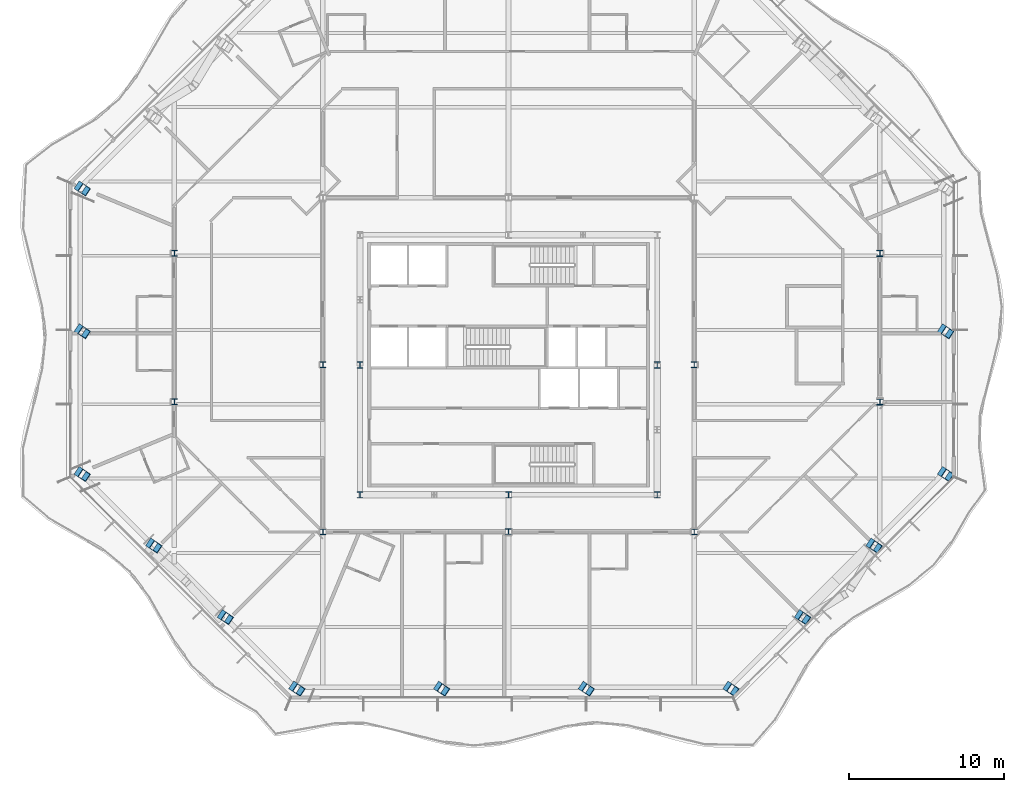
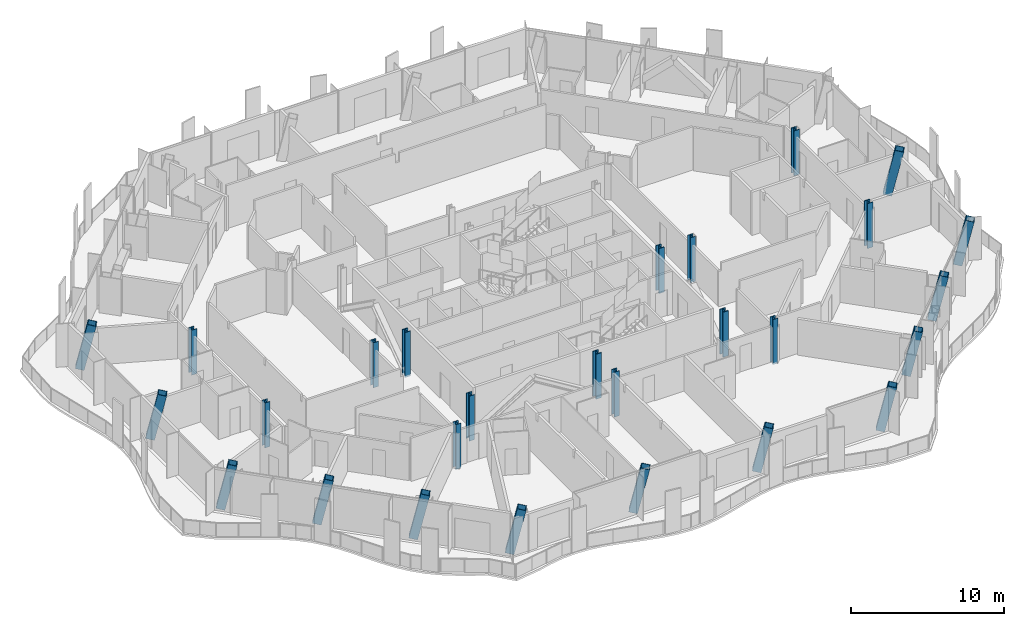
# One storey, part 1 of 22: 27 columns.
"""IFC4 building model written with IfcOpenShell, lengths in metres."""

from ifc_helpers import new_model, si_unit, direction, frame, origin, origin_2d, place, context, subcontext, project, spatial, hollow_rectangle, i_section, extrude, clip, halfspace, material, material_profile, profile_set, type_object, element, save


model = new_model("IFC4")

# Units and contexts
model_context = context("Model", 3, precision=1e-05, world=origin(), true_north=direction((0.0, 1.0)))
body_context = subcontext(model_context, "Body", "Model", "MODEL_VIEW")
ifc_project = project(units=[si_unit("LENGTHUNIT", "METRE"), si_unit("AREAUNIT", "SQUARE_METRE"), si_unit("VOLUMEUNIT", "CUBIC_METRE"), si_unit("PLANEANGLEUNIT", "RADIAN"), si_unit("MASSUNIT", "GRAM", prefix="KILO")], contexts=[model_context])

# Site, building, storey
site_placement = place(None, origin())
site = spatial("IfcSite", under=ifc_project, at=site_placement, CompositionType="ELEMENT")
building_placement = place(site_placement, origin())
building = spatial("IfcBuilding", under=site, at=building_placement, Name="Cairn Pilgrim Tower", CompositionType="ELEMENT")
storey_placement = place(building_placement, frame((0.0, 0.0, 175.800048828125)))
storey = spatial("IfcBuildingStorey", under=building, at=storey_placement, Name="L44", CompositionType="ELEMENT", Elevation=175.800048828125)

# Columns
ifc_material_1 = material(Name="Structural steel S460M", Category="steel")
ifc_material_profile_1 = material_profile(ifc_material_1, hollow_rectangle(XDim=0.60009765625, YDim=0.60009765625, WallThickness=0.034912109375, at=origin_2d()), Name="BOX 600x600x35")
ifc_profile_set_1 = profile_set([ifc_material_profile_1], Name="Structural steel S460M")
column_type_1 = type_object("IfcColumnType", Name="BOX 600x600x35", PredefinedType="COLUMN", material=ifc_profile_set_1)
for number, where, z_axis, x_axis, name in (
    (1, (-6.602294921875, -18.449951171875, -0.150146484375), (0.18292158996, -0.12192567461, 0.97553770906), (0.55463074681, 0.832096589761, 0.0), "PC2-S1"),
    (2, (2.749267578125, -18.449951171875, -0.150146484375), (0.18292158996, -0.12192567461, 0.97553770906), (0.55463074681, 0.832096589761, 0.0), "PC2-S2"),
    (3, (12.1005859375, -18.449951171875, -0.150146484375), (0.18292158996, -0.12192567461, 0.97553770906), (0.55463074681, 0.832096589761, 0.0), "PC2-S3"),
    (4, (21.4521484375, -18.449951171875, -0.150146484375), (0.18292158996, -0.12192567461, 0.97553770906), (0.55463074681, 0.832096589761, 0.0), "PC2-SE1"),
    (5, (26.076416015625, -13.82568359375, -0.150146484375), (0.18292158996, -0.12192567461, 0.97553770906), (0.55463074681, 0.832096589761, 0.0), "PC2-SE2"),
    (6, (30.70068359375, -9.201416015625, -0.150146484375), (0.182920114109, -0.121990846444, 0.97552983821), (0.554839060281, 0.831957701561, 0.0), "PC2-SE3"),
    (7, (35.324951171875, -4.5771484375, -0.150146484375), (0.18292158996, -0.12192567461, 0.97553770906), (0.55463074681, 0.832096589761, 0.0), "PC2-E1"),
    (8, (35.324951171875, 4.64990234375, -0.150146484375), (0.18292158996, -0.12192567461, 0.97553770906), (0.55463074681, 0.832096589761, 0.0), "PC2-E2"),
    (9, (-20.47509765625, 13.877197265625, -0.150146484375), (0.18292158996, -0.12192567461, 0.97553770906), (0.55463074681, 0.832096589761, 0.0), "PC2-W1"),
    (10, (-20.47509765625, 4.64990234375, -0.150146484375), (0.18292158996, -0.12192567461, 0.97553770906), (0.55463074681, 0.832096589761, 0.0), "PC2-W2"),
    (11, (-20.47509765625, -4.5771484375, -0.150146484375), (0.18292158996, -0.12192567461, 0.97553770906), (0.55463074681, 0.832096589761, 0.0), "PC2-SW1"),
    (12, (-15.8505859375, -9.201416015625, -0.150146484375), (0.182856170941, -0.121992322437, 0.975541641354), (0.55497797841, 0.831865039222, 0.0), "PC2-SW2"),
    (13, (-11.2265625, -13.82568359375, -0.150146484375), (0.18292158996, -0.12192567461, 0.97553770906), (0.55463074681, 0.832096589761, 0.0), "PC2-SW3"),
):
    element("IfcColumn", number, at=place(storey_placement, frame(where, z_axis=z_axis, x_axis=x_axis)), inside=storey, type_object=column_type_1, Name=name, PredefinedType="COLUMN", context=body_context, shape_type="Clipping", body=[
        clip(clip(extrude(hollow_rectangle(XDim=0.60009765625, YDim=0.60009765625, WallThickness=0.034912109375, at=origin_2d()), origin(), (0.0, 0.0, 1.0), 3.6904296875), halfspace(frame((0.0, 0.0, 0.02197265625), z_axis=(0.0, 0.0, 1.0), x_axis=(1.0, 0.0, 0.0)), True)), halfspace(frame((0.0, 0.0, 3.669921875), z_axis=(0.0, 0.0, 1.0), x_axis=(1.0, 0.0, 0.0)), False)),
    ])
ifc_material_2 = material(Name="Structural steel S355J2", Category="steel")
ifc_material_profile_2 = material_profile(ifc_material_2, i_section(OverallWidth=0.39892578125, OverallDepth=0.39306640625, WebThickness=0.022705078125, FlangeThickness=0.03662109375, FilletRadius=0.014892578125, at=origin_2d()), Name="HD 400x287")
ifc_profile_set_2 = profile_set([ifc_material_profile_2], Name="Structural steel S355J2")
column_type_2 = type_object("IfcColumnType", Name="HD 400x287", PredefinedType="COLUMN", material=ifc_profile_set_2)
for number, where, z_axis, x_axis, name in (
    (14, (-4.800048828125, -8.39990234375, -0.150146484375), (0.0, 0.0, 1.0), (1.0, 0.0, 0.0), "IC-1"),
    (15, (7.199951171875, -8.39990234375, -0.150146484375), (0.0, 0.0, 1.0), (1.0, 0.0, 0.0), "IC-2"),
    (16, (19.199951171875, -8.39990234375, -0.150146484375), (0.0, 0.0, 1.0), (1.0, 0.0, 0.0), "IC-3"),
    (17, (-4.800048828125, 2.39990234375, -0.150146484375), (0.0, 0.0, 1.0), (1.0, 0.0, 0.0), "IC-4"),
    (18, (19.199951171875, 2.39990234375, -0.150146484375), (0.0, 0.0, 1.0), (1.0, 0.0, 0.0), "IC-5"),
    (19, (-14.39990234375, 0.0, -0.150146484375), (0.0, 0.0, 1.0), (1.0, 0.0, 0.0), "WC-WW+0"),
    (20, (-14.39990234375, 9.60009765625, -0.150146484375), (0.0, 0.0, 1.0), (1.0, 0.0, 0.0), "WC-WW+2"),
):
    element("IfcColumn", number, at=place(storey_placement, frame(where, z_axis=z_axis, x_axis=x_axis)), inside=storey, type_object=column_type_2, Name=name, PredefinedType="COLUMN", context=body_context, shape_type="SweptSolid", body=[
        extrude(i_section(OverallWidth=0.39892578125, OverallDepth=0.39306640625, WebThickness=0.022705078125, FlangeThickness=0.03662109375, FilletRadius=0.014892578125, at=origin_2d()), origin(), (0.0, 0.0, 1.0), 3.60009765625),
    ])
ifc_material_profile_3 = material_profile(ifc_material_1, i_section(OverallWidth=0.408935546875, OverallDepth=0.425048828125, WebThickness=0.03271484375, FlangeThickness=0.052490234375, FilletRadius=0.014892578125, at=origin_2d()), Name="HD 400x421")
ifc_profile_set_3 = profile_set([ifc_material_profile_3], Name="Structural steel S460M")
column_type_3 = type_object("IfcColumnType", Name="HD 400x421", PredefinedType="COLUMN", material=ifc_profile_set_3)
for number, where, z_axis, x_axis, name in (
    (21, (31.199951171875, 0.0, -0.150146484375), (0.0, 0.0, 1.0), (1.0, 0.0, 0.0), "WC-WE+0"),
    (22, (31.199951171875, 9.60009765625, -0.150146484375), (0.0, 0.0, 1.0), (1.0, 0.0, 0.0), "WC-WE+2"),
):
    element("IfcColumn", number, at=place(storey_placement, frame(where, z_axis=z_axis, x_axis=x_axis)), inside=storey, type_object=column_type_3, Name=name, PredefinedType="COLUMN", context=body_context, shape_type="SweptSolid", body=[
        extrude(i_section(OverallWidth=0.408935546875, OverallDepth=0.425048828125, WebThickness=0.03271484375, FlangeThickness=0.052490234375, FilletRadius=0.014892578125, at=origin_2d()), origin(), (0.0, 0.0, 1.0), 3.60009765625),
    ])
ifc_material_profile_4 = material_profile(ifc_material_1, i_section(OverallWidth=0.416015625, OverallDepth=0.446044921875, WebThickness=0.0390625, FlangeThickness=0.062744140625, FilletRadius=0.014892578125, at=origin_2d()), Name="HD 400x509")
ifc_profile_set_4 = profile_set([ifc_material_profile_4], Name="Structural steel S460M")
column_type_4 = type_object("IfcColumnType", Name="HD 400x509", PredefinedType="COLUMN", material=ifc_profile_set_4)
for number, where, z_axis, x_axis, name in (
    (23, (-2.39990234375, -6.0, -0.150146484375), (0.0, 0.0, 1.0), (1.0, 0.0, 0.0), "KC-1"),
    (24, (7.199951171875, -6.0, -0.150146484375), (0.0, 0.0, 1.0), (1.0, 0.0, 0.0), "KC-2"),
    (25, (16.800048828125, -6.0, -0.150146484375), (0.0, 0.0, 1.0), (1.0, 0.0, 0.0), "KC-3"),
    (26, (-2.39990234375, 2.39990234375, -0.150146484375), (0.0, 0.0, 1.0), (1.0, 0.0, 0.0), "KC-4"),
    (27, (16.800048828125, 2.39990234375, -0.150146484375), (0.0, 0.0, 1.0), (1.0, 0.0, 0.0), "KC-5"),
):
    element("IfcColumn", number, at=place(storey_placement, frame(where, z_axis=z_axis, x_axis=x_axis)), inside=storey, type_object=column_type_4, Name=name, PredefinedType="COLUMN", context=body_context, shape_type="SweptSolid", body=[
        extrude(i_section(OverallWidth=0.416015625, OverallDepth=0.446044921875, WebThickness=0.0390625, FlangeThickness=0.062744140625, FilletRadius=0.014892578125, at=origin_2d()), origin(), (0.0, 0.0, 1.0), 3.60009765625),
    ])

save(model, "model.ifc")
